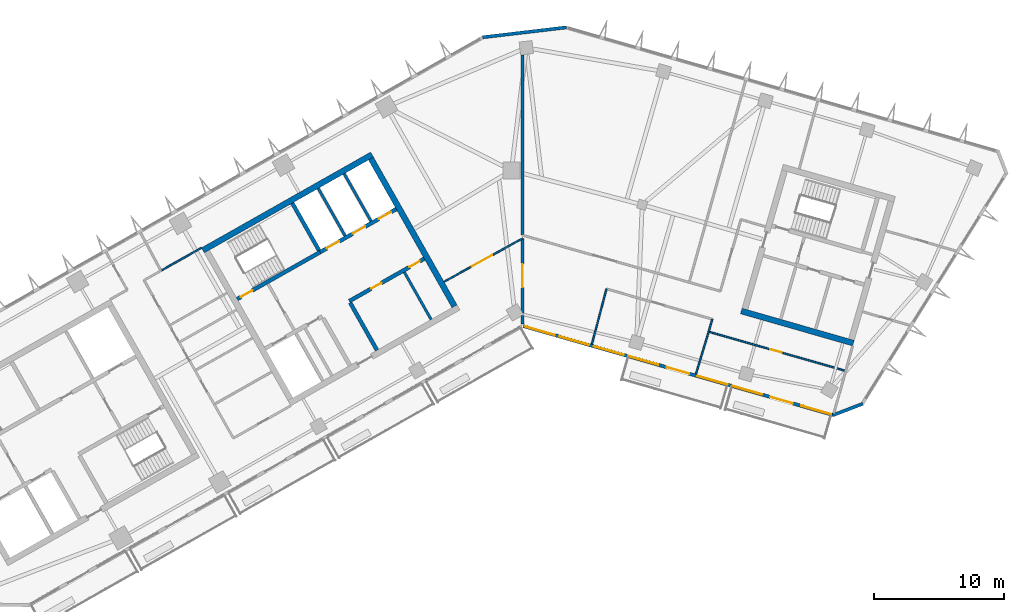
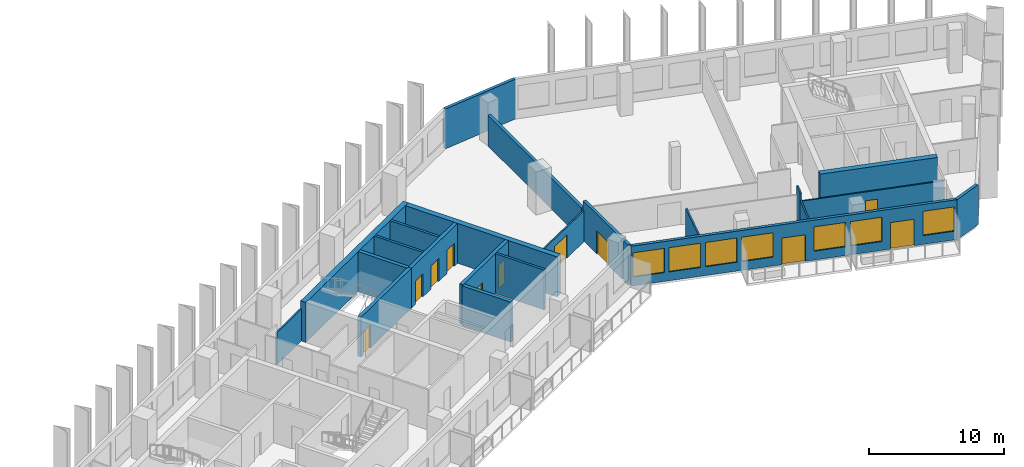
# One storey, part 6 of 11: 23 walls, 11 doors, 7 windows, 18 openings.
"""IFC4 building model written with IfcOpenShell, lengths in metres."""

from ifc_helpers import new_model, si_unit, direction, frame, frame_2d, origin, place, context, subcontext, project, spatial, rectangle, extrude, material, layer, layer_set, type_object, element, fill, save


model = new_model("IFC4")

# Units and contexts
model_context = context("Model", 3, precision=1e-05, world=origin(), true_north=direction((0.0, 1.0)))
body_context = subcontext(model_context, "Body", "Model", "MODEL_VIEW")
ifc_project = project(units=[si_unit("LENGTHUNIT", "METRE"), si_unit("AREAUNIT", "SQUARE_METRE"), si_unit("VOLUMEUNIT", "CUBIC_METRE"), si_unit("PLANEANGLEUNIT", "RADIAN"), si_unit("MASSUNIT", "GRAM", prefix="KILO")], contexts=[model_context])

# Site, building, storey
site_placement = place(None, origin())
site = spatial("IfcSite", under=ifc_project, at=site_placement, CompositionType="ELEMENT")
building_placement = place(site_placement, origin())
building = spatial("IfcBuilding", under=site, at=building_placement, Name="Binnacle Exchange Tower", CompositionType="ELEMENT")
storey_placement = place(building_placement, frame((0.0, 0.0, 223.10009765625)))
storey = spatial("IfcBuildingStorey", under=building, at=storey_placement, Name="L49", CompositionType="ELEMENT", Elevation=223.10009765625)

# Wall
ifc_material_1 = material(Name="Gypsum partition fire rated")
ifc_layer_1 = layer(ifc_material_1, 0.199951171875)
ifc_layer_set_1 = layer_set([ifc_layer_1], Name="Core partition 200")
wall_type_1 = type_object("IfcWallType", Name="Core partition 200", PredefinedType="PARTITIONING", material=ifc_layer_set_1)
wall_1_placement = place(storey_placement, frame((-9.11279296875, 52.14404296875, 0.0), z_axis=(0.0, 0.0, 1.0), x_axis=(0.492365617434, -0.870388475779, 0.0)))
element("IfcWall", 1, at=wall_1_placement, inside=storey, type_object=wall_type_1, Name="Core wall CRWC22", PredefinedType="PARTITIONING", context=body_context, shape_type="SweptSolid", body=[
    extrude(rectangle(XDim=4.199951171875, YDim=0.199951171875, at=frame_2d((2.10009765625, 0.0))), origin(), (0.0, 0.0, 1.0), 3.619873046875),
])

# Wall, openings, doors
ifc_material_2 = material(Name="Concrete C70/85", Category="concrete")
ifc_layer_2 = layer(ifc_material_2, 0.300048828125)
ifc_layer_set_2 = layer_set([ifc_layer_2], Name="Core wall - front 300")
wall_type_2 = type_object("IfcWallType", Name="Core wall - front 300", PredefinedType="SOLIDWALL", material=ifc_layer_set_2)
wall_2_placement = place(storey_placement, frame((-13.364501953125, 49.910888671875, 0.0), z_axis=(0.0, 0.0, 1.0), x_axis=(0.870352159619, 0.492429810477, 0.0)))
wall_2 = element("IfcWall", 2, at=wall_2_placement, inside=storey, type_object=wall_type_2, Name="Core wall CRWC3", PredefinedType="SOLIDWALL", context=body_context, shape_type="SweptSolid", body=[
    extrude(rectangle(XDim=6.64990234375, YDim=0.300048828125, at=frame_2d((3.324951171875, 0.0))), origin(), (0.0, 0.0, 1.0), 3.619873046875),
])
opening_1_placement = place(wall_2_placement, frame((1.949951171875, 0.0, 0.0)))
opening_1 = element("IfcOpeningElement", 3, at=opening_1_placement, cuts=wall_2, Name="Opening DC18", PredefinedType="OPENING", context=body_context, shape_type="SweptSolid", body=[
    extrude(rectangle(XDim=0.89990234375, YDim=2.10009765625, at=frame_2d((0.449951171875, 1.050048828125))), frame((0.0, 0.159912109375, 0.0), z_axis=(0.0, -1.0, 0.0), x_axis=(1.0, 0.0, 0.0)), (0.0, 0.0, 1.0), 0.320068359375),
])
opening_2_placement = place(wall_2_placement, frame((5.35009765625, 0.0, 0.0)))
opening_2 = element("IfcOpeningElement", 4, at=opening_2_placement, cuts=wall_2, Name="Opening DC19", PredefinedType="OPENING", context=body_context, shape_type="SweptSolid", body=[
    extrude(rectangle(XDim=0.89990234375, YDim=2.10009765625, at=frame_2d((0.449951171875, 1.050048828125))), frame((0.0, 0.159912109375, 0.0), z_axis=(0.0, -1.0, 0.0), x_axis=(1.0, 0.0, 0.0)), (0.0, 0.0, 1.0), 0.320068359375),
])
ifc_material_3 = material(Name="Steel door leaf", Category="steel")
door_type_1 = type_object("IfcDoorType", Name="Fire door 900", OperationType="NOTDEFINED", PredefinedType="DOOR", material=ifc_material_3)
door_1_placement = place(opening_1_placement, frame((0.89990234375, 0.0, 0.0), z_axis=(0.0, 0.0, 1.0), x_axis=(-1.0, 0.0, 0.0)))
door_1 = element("IfcDoor", 5, at=door_1_placement, inside=storey, type_object=door_type_1, Name="Core room door TELECOM RISER ROOM", OperationType="SINGLE_SWING_RIGHT", OverallHeight=2.10009765625, OverallWidth=0.89990234375, PredefinedType="DOOR", context=body_context, shape_type="SweptSolid", body=[
    extrude(rectangle(XDim=0.89990234375, YDim=2.10009765625, at=frame_2d((0.449951171875, 1.050048828125))), frame((0.0, 0.02490234375, 0.0), z_axis=(0.0, -1.0, 0.0), x_axis=(1.0, 0.0, 0.0)), (0.0, 0.0, 1.0), 0.050048828125),
])
fill(opening_1, door_1)
door_2_placement = place(opening_2_placement, frame((0.89990234375, 0.0, 0.0), z_axis=(0.0, 0.0, 1.0), x_axis=(-1.0, 0.0, 0.0)))
door_2 = element("IfcDoor", 6, at=door_2_placement, inside=storey, type_object=door_type_1, Name="Core room door IT STORE", OperationType="SINGLE_SWING_LEFT", OverallHeight=2.10009765625, OverallWidth=0.89990234375, PredefinedType="DOOR", context=body_context, shape_type="SweptSolid", body=[
    extrude(rectangle(XDim=0.89990234375, YDim=2.10009765625, at=frame_2d((0.449951171875, 1.050048828125))), frame((0.0, 0.02490234375, 0.0), z_axis=(0.0, -1.0, 0.0), x_axis=(1.0, 0.0, 0.0)), (0.0, 0.0, 1.0), 0.050048828125),
])
fill(opening_2, door_2)

wall_3_placement = place(storey_placement, frame((-15.6181640625, 53.69140625, 0.0), z_axis=(0.0, 0.0, 1.0), x_axis=(0.870358646884, 0.492418344291, 0.0)))
wall_3 = element("IfcWall", 7, at=wall_3_placement, inside=storey, type_object=wall_type_2, Name="Core wall CRWC5", PredefinedType="SOLIDWALL", context=body_context, shape_type="SweptSolid", body=[
    extrude(rectangle(XDim=6.749755859375, YDim=0.300048828125, at=frame_2d((3.375, 0.0))), origin(), (0.0, 0.0, 1.0), 3.619873046875),
])
opening_3_placement = place(wall_3_placement, frame((0.60009765625, 0.0, 0.0)))
opening_3 = element("IfcOpeningElement", 8, at=opening_3_placement, cuts=wall_3, Name="Opening LD5", PredefinedType="OPENING", context=body_context, shape_type="SweptSolid", body=[
    extrude(rectangle(XDim=1.10009765625, YDim=2.10009765625, at=frame_2d((0.550048828125, 1.050048828125))), frame((0.0, 0.159912109375, 0.0), z_axis=(0.0, -1.0, 0.0), x_axis=(1.0, 0.0, 0.0)), (0.0, 0.0, 1.0), 0.320068359375),
])
opening_4_placement = place(wall_3_placement, frame((2.89990234375, 0.0, 0.0)))
opening_4 = element("IfcOpeningElement", 9, at=opening_4_placement, cuts=wall_3, Name="Opening LD6", PredefinedType="OPENING", context=body_context, shape_type="SweptSolid", body=[
    extrude(rectangle(XDim=1.10009765625, YDim=2.10009765625, at=frame_2d((0.550048828125, 1.050048828125))), frame((0.0, 0.159912109375, 0.0), z_axis=(0.0, -1.0, 0.0), x_axis=(1.0, 0.0, 0.0)), (0.0, 0.0, 1.0), 0.320068359375),
])
opening_5_placement = place(wall_3_placement, frame((5.199951171875, 0.0, 0.0)))
opening_5 = element("IfcOpeningElement", 10, at=opening_5_placement, cuts=wall_3, Name="Opening LD7", PredefinedType="OPENING", context=body_context, shape_type="SweptSolid", body=[
    extrude(rectangle(XDim=1.10009765625, YDim=2.10009765625, at=frame_2d((0.550048828125, 1.050048828125))), frame((0.0, 0.159912109375, 0.0), z_axis=(0.0, -1.0, 0.0), x_axis=(1.0, 0.0, 0.0)), (0.0, 0.0, 1.0), 0.320068359375),
])
door_type_2 = type_object("IfcDoorType", Name="Fire door - lift landing 1100", OperationType="NOTDEFINED", PredefinedType="DOOR", material=ifc_material_3)
door_3_placement = place(opening_3_placement, origin())
door_3 = element("IfcDoor", 11, at=door_3_placement, inside=storey, type_object=door_type_2, Name="Landing door LD5 L49", OperationType="DOUBLE_DOOR_SLIDING", OverallHeight=2.10009765625, OverallWidth=1.10009765625, PredefinedType="DOOR", context=body_context, shape_type="SweptSolid", body=[
    extrude(rectangle(XDim=1.10009765625, YDim=2.10009765625, at=frame_2d((0.550048828125, 1.050048828125))), frame((0.0, 0.02490234375, 0.0), z_axis=(0.0, -1.0, 0.0), x_axis=(1.0, 0.0, 0.0)), (0.0, 0.0, 1.0), 0.050048828125),
])
fill(opening_3, door_3)
door_4_placement = place(opening_4_placement, origin())
door_4 = element("IfcDoor", 12, at=door_4_placement, inside=storey, type_object=door_type_2, Name="Landing door LD6 L49", OperationType="DOUBLE_DOOR_SLIDING", OverallHeight=2.10009765625, OverallWidth=1.10009765625, PredefinedType="DOOR", context=body_context, shape_type="SweptSolid", body=[
    extrude(rectangle(XDim=1.10009765625, YDim=2.10009765625, at=frame_2d((0.550048828125, 1.050048828125))), frame((0.0, 0.02490234375, 0.0), z_axis=(0.0, -1.0, 0.0), x_axis=(1.0, 0.0, 0.0)), (0.0, 0.0, 1.0), 0.050048828125),
])
fill(opening_4, door_4)
door_5_placement = place(opening_5_placement, origin())
door_5 = element("IfcDoor", 13, at=door_5_placement, inside=storey, type_object=door_type_2, Name="Landing door LD7 L49", OperationType="DOUBLE_DOOR_SLIDING", OverallHeight=2.10009765625, OverallWidth=1.10009765625, PredefinedType="DOOR", context=body_context, shape_type="SweptSolid", body=[
    extrude(rectangle(XDim=1.10009765625, YDim=2.10009765625, at=frame_2d((0.550048828125, 1.050048828125))), frame((0.0, 0.02490234375, 0.0), z_axis=(0.0, -1.0, 0.0), x_axis=(1.0, 0.0, 0.0)), (0.0, 0.0, 1.0), 0.050048828125),
])
fill(opening_5, door_5)

# Walls
wall_4_placement = place(storey_placement, frame((-13.29052734375, 49.780517578125, 0.0), z_axis=(0.0, 0.0, 1.0), x_axis=(0.492409653846, -0.870363563575, 0.0)))
element("IfcWall", 14, at=wall_4_placement, inside=storey, type_object=wall_type_2, Name="Core wall CRWC15", PredefinedType="SOLIDWALL", context=body_context, shape_type="SweptSolid", body=[
    extrude(rectangle(XDim=4.199951171875, YDim=0.300048828125, at=frame_2d((2.10009765625, 0.0))), origin(), (0.0, 0.0, 1.0), 3.619873046875),
])
ifc_layer_3 = layer(ifc_material_2, 0.449951171875)
ifc_layer_set_3 = layer_set([ifc_layer_3], Name="Core wall - outer 450")
wall_type_3 = type_object("IfcWallType", Name="Core wall - outer 450", PredefinedType="SOLIDWALL", material=ifc_layer_set_3)
wall_5_placement = place(storey_placement, frame((-24.659912109375, 53.832275390625, 0.0), z_axis=(0.0, 0.0, 1.0), x_axis=(0.870353598469, 0.492427267353, 0.0)))
element("IfcWall", 15, at=wall_5_placement, inside=storey, type_object=wall_type_3, Name="Core wall CRWC6", PredefinedType="SOLIDWALL", context=body_context, shape_type="SweptSolid", body=[
    extrude(rectangle(XDim=15.000244140625, YDim=0.449951171875, at=frame_2d((7.5, 0.0))), origin(), (0.0, 0.0, 1.0), 3.619873046875),
])
wall_6_placement = place(storey_placement, frame((-11.689453125, 60.912109375, 0.0), z_axis=(0.0, 0.0, 1.0), x_axis=(0.492421378713, -0.870356930107, 0.0)))
element("IfcWall", 16, at=wall_6_placement, inside=storey, type_object=wall_type_3, Name="Core wall CRWC24", PredefinedType="SOLIDWALL", context=body_context, shape_type="SweptSolid", body=[
    extrude(rectangle(XDim=13.099853515625, YDim=0.449951171875, at=frame_2d((6.5498046875, 0.0))), origin(), (0.0, 0.0, 1.0), 3.619873046875),
])
wall_7_placement = place(storey_placement, frame((16.889892578125, 49.149169921875, 0.0), z_axis=(0.0, 0.0, 1.0), x_axis=(0.96126248289, -0.275634611374, 0.0)))
element("IfcWall", 17, at=wall_7_placement, inside=storey, type_object=wall_type_3, Name="Core wall CRWD1", PredefinedType="SOLIDWALL", context=body_context, shape_type="SweptSolid", body=[
    extrude(rectangle(XDim=9.0, YDim=0.449951171875, at=frame_2d((4.5, 0.0))), origin(), (0.0, 0.0, 1.0), 3.619873046875),
])

# Wall, opening, door
ifc_layer_4 = layer(ifc_material_2, 0.300048828125)
ifc_layer_set_4 = layer_set([ifc_layer_4], Name="Core wall - stair 300")
wall_type_4 = type_object("IfcWallType", Name="Core wall - stair 300", PredefinedType="SOLIDWALL", material=ifc_layer_set_4)
wall_8_placement = place(storey_placement, frame((-22.015380859375, 50.072021484375, 0.0), z_axis=(0.0, 0.0, 1.0), x_axis=(0.870354900257, 0.492424966466, 0.0)))
wall_8 = element("IfcWall", 18, at=wall_8_placement, inside=storey, type_object=wall_type_4, Name="Core wall CRWC4", PredefinedType="SOLIDWALL", context=body_context, shape_type="SweptSolid", body=[
    extrude(rectangle(XDim=7.35009765625, YDim=0.300048828125, at=frame_2d((3.675048828125, 0.0))), origin(), (0.0, 0.0, 1.0), 3.619873046875),
])
opening_6_placement = place(wall_8_placement, frame((0.35009765625, 0.0, 0.0)))
opening_6 = element("IfcOpeningElement", 19, at=opening_6_placement, cuts=wall_8, Name="Opening DC1", PredefinedType="OPENING", context=body_context, shape_type="SweptSolid", body=[
    extrude(rectangle(XDim=1.0, YDim=2.10009765625, at=frame_2d((0.5, 1.050048828125))), frame((0.0, 0.159912109375, 0.0), z_axis=(0.0, -1.0, 0.0), x_axis=(1.0, 0.0, 0.0)), (0.0, 0.0, 1.0), 0.320068359375),
])
door_type_3 = type_object("IfcDoorType", Name="Fire door 1000", OperationType="NOTDEFINED", PredefinedType="DOOR", material=ifc_material_3)
door_6_placement = place(opening_6_placement, origin())
door_6 = element("IfcDoor", 20, at=door_6_placement, inside=storey, type_object=door_type_3, Name="Stair door ST-C1", OperationType="SINGLE_SWING_LEFT", OverallHeight=2.10009765625, OverallWidth=1.0, PredefinedType="DOOR", context=body_context, shape_type="SweptSolid", body=[
    extrude(rectangle(XDim=1.0, YDim=2.10009765625, at=frame_2d((0.5, 1.050048828125))), frame((0.0, 0.02490234375, 0.0), z_axis=(0.0, -1.0, 0.0), x_axis=(1.0, 0.0, 0.0)), (0.0, 0.0, 1.0), 0.050048828125),
])
fill(opening_6, door_6)

# Wall
wall_9_placement = place(storey_placement, frame((-17.76025390625, 57.477294921875, 0.0), z_axis=(0.0, 0.0, 1.0), x_axis=(0.49243456751, -0.870349468157, 0.0)))
element("IfcWall", 21, at=wall_9_placement, inside=storey, type_object=wall_type_4, Name="Core wall CRWC14", PredefinedType="SOLIDWALL", context=body_context, shape_type="SweptSolid", body=[
    extrude(rectangle(XDim=4.19970703125, YDim=0.300048828125, at=frame_2d((2.099853515625, 0.0))), origin(), (0.0, 0.0, 1.0), 3.619873046875),
])

# Wall, openings, doors, windows
ifc_material_4 = material(Name="Bronze aluminium cladding", Category="aluminium")
ifc_layer_5 = layer(ifc_material_4, 0.25)
ifc_layer_set_5 = layer_set([ifc_layer_5], Name="External wall - window wall 250")
wall_type_5 = type_object("IfcWallType", Name="External wall - window wall 250", PredefinedType="STANDARD", material=ifc_layer_set_5)
wall_10_placement = place(storey_placement, frame((24.034423828125, 41.108154296875, 0.0), z_axis=(0.0, 0.0, 1.0), x_axis=(-0.96126060691, 0.275641153683, 0.0)))
wall_10 = element("IfcWall", 22, at=wall_10_placement, inside=storey, type_object=wall_type_5, Name="External wall EW-G02 L49", PredefinedType="STANDARD", context=body_context, shape_type="SweptSolid", body=[
    extrude(rectangle(XDim=24.95068359375, YDim=0.25, at=frame_2d((12.475341796875, 0.0))), origin(), (0.0, 0.0, 1.0), 3.619873046875),
])
opening_7_placement = place(wall_10_placement, frame((22.416259765625, 0.0, 0.800048828125)))
opening_7 = element("IfcOpeningElement", 23, at=opening_7_placement, cuts=wall_10, Name="Opening WR1", PredefinedType="OPENING", context=body_context, shape_type="SweptSolid", body=[
    extrude(rectangle(XDim=2.39990234375, YDim=2.199951171875, at=frame_2d((1.199951171875, 1.10009765625))), frame((0.0, 0.135009765625, 0.0), z_axis=(0.0, -1.0, 0.0), x_axis=(1.0, 0.0, 0.0)), (0.0, 0.0, 1.0), 0.27001953125),
])
opening_8_placement = place(wall_10_placement, frame((19.642822265625, 0.0, 0.800048828125)))
opening_8 = element("IfcOpeningElement", 24, at=opening_8_placement, cuts=wall_10, Name="Opening WR1", PredefinedType="OPENING", context=body_context, shape_type="SweptSolid", body=[
    extrude(rectangle(XDim=2.39990234375, YDim=2.199951171875, at=frame_2d((1.199951171875, 1.10009765625))), frame((0.0, 0.135009765625, 0.0), z_axis=(0.0, -1.0, 0.0), x_axis=(1.0, 0.0, 0.0)), (0.0, 0.0, 1.0), 0.27001953125),
])
opening_9_placement = place(wall_10_placement, frame((16.869384765625, 0.0, 0.800048828125)))
opening_9 = element("IfcOpeningElement", 25, at=opening_9_placement, cuts=wall_10, Name="Opening WR1", PredefinedType="OPENING", context=body_context, shape_type="SweptSolid", body=[
    extrude(rectangle(XDim=2.39990234375, YDim=2.199951171875, at=frame_2d((1.199951171875, 1.10009765625))), frame((0.0, 0.135009765625, 0.0), z_axis=(0.0, -1.0, 0.0), x_axis=(1.0, 0.0, 0.0)), (0.0, 0.0, 1.0), 0.27001953125),
])
opening_10_placement = place(wall_10_placement, frame((14.095947265625, 0.0, 0.800048828125)))
opening_10 = element("IfcOpeningElement", 26, at=opening_10_placement, cuts=wall_10, Name="Opening WR1", PredefinedType="OPENING", context=body_context, shape_type="SweptSolid", body=[
    extrude(rectangle(XDim=2.39990234375, YDim=2.199951171875, at=frame_2d((1.199951171875, 1.10009765625))), frame((0.0, 0.135009765625, 0.0), z_axis=(0.0, -1.0, 0.0), x_axis=(1.0, 0.0, 0.0)), (0.0, 0.0, 1.0), 0.27001953125),
])
opening_11_placement = place(wall_10_placement, frame((11.622314453125, 0.0, 0.0)))
opening_11 = element("IfcOpeningElement", 27, at=opening_11_placement, cuts=wall_10, Name="Opening D-FS13-06", PredefinedType="OPENING", context=body_context, shape_type="SweptSolid", body=[
    extrude(rectangle(XDim=1.800048828125, YDim=2.39990234375, at=frame_2d((0.89990234375, 1.199951171875))), frame((0.0, 0.135009765625, 0.0), z_axis=(0.0, -1.0, 0.0), x_axis=(1.0, 0.0, 0.0)), (0.0, 0.0, 1.0), 0.27001953125),
])
opening_12_placement = place(wall_10_placement, frame((8.548828125, 0.0, 0.800048828125)))
opening_12 = element("IfcOpeningElement", 28, at=opening_12_placement, cuts=wall_10, Name="Opening WR1", PredefinedType="OPENING", context=body_context, shape_type="SweptSolid", body=[
    extrude(rectangle(XDim=2.39990234375, YDim=2.199951171875, at=frame_2d((1.199951171875, 1.10009765625))), frame((0.0, 0.135009765625, 0.0), z_axis=(0.0, -1.0, 0.0), x_axis=(1.0, 0.0, 0.0)), (0.0, 0.0, 1.0), 0.27001953125),
])
opening_13_placement = place(wall_10_placement, frame((5.775390625, 0.0, 0.800048828125)))
opening_13 = element("IfcOpeningElement", 29, at=opening_13_placement, cuts=wall_10, Name="Opening WR1", PredefinedType="OPENING", context=body_context, shape_type="SweptSolid", body=[
    extrude(rectangle(XDim=2.39990234375, YDim=2.199951171875, at=frame_2d((1.199951171875, 1.10009765625))), frame((0.0, 0.135009765625, 0.0), z_axis=(0.0, -1.0, 0.0), x_axis=(1.0, 0.0, 0.0)), (0.0, 0.0, 1.0), 0.27001953125),
])
opening_14_placement = place(wall_10_placement, frame((3.302001953125, 0.0, 0.0)))
opening_14 = element("IfcOpeningElement", 30, at=opening_14_placement, cuts=wall_10, Name="Opening D-FS13-07", PredefinedType="OPENING", context=body_context, shape_type="SweptSolid", body=[
    extrude(rectangle(XDim=1.800048828125, YDim=2.39990234375, at=frame_2d((0.89990234375, 1.199951171875))), frame((0.0, 0.135009765625, 0.0), z_axis=(0.0, -1.0, 0.0), x_axis=(1.0, 0.0, 0.0)), (0.0, 0.0, 1.0), 0.27001953125),
])
opening_15_placement = place(wall_10_placement, frame((0.228515625, 0.0, 0.800048828125)))
opening_15 = element("IfcOpeningElement", 31, at=opening_15_placement, cuts=wall_10, Name="Opening WR1", PredefinedType="OPENING", context=body_context, shape_type="SweptSolid", body=[
    extrude(rectangle(XDim=2.39990234375, YDim=2.199951171875, at=frame_2d((1.199951171875, 1.10009765625))), frame((0.0, 0.135009765625, 0.0), z_axis=(0.0, -1.0, 0.0), x_axis=(1.0, 0.0, 0.0)), (0.0, 0.0, 1.0), 0.27001953125),
])
ifc_material_5 = material(Name="Bronze anodised aluminium frame", Category="aluminium")
door_type_4 = type_object("IfcDoorType", Name="DB DOOR 1800x2400", OperationType="DOUBLE_DOOR_SINGLE_SWING", PredefinedType="DOOR", material=ifc_material_5)
door_7_placement = place(opening_11_placement, origin())
door_7 = element("IfcDoor", 32, at=door_7_placement, inside=storey, type_object=door_type_4, Name="Door D-FS13-06 L49", OperationType="DOUBLE_DOOR_SINGLE_SWING", OverallHeight=2.39990234375, OverallWidth=1.800048828125, PredefinedType="DOOR", context=body_context, shape_type="SweptSolid", body=[
    extrude(rectangle(XDim=1.800048828125, YDim=2.39990234375, at=frame_2d((0.89990234375, 1.199951171875))), frame((0.0, 0.02490234375, 0.0), z_axis=(0.0, -1.0, 0.0), x_axis=(1.0, 0.0, 0.0)), (0.0, 0.0, 1.0), 0.050048828125),
])
fill(opening_11, door_7)
door_8_placement = place(opening_14_placement, origin())
door_8 = element("IfcDoor", 33, at=door_8_placement, inside=storey, type_object=door_type_4, Name="Door D-FS13-07 L49", OperationType="DOUBLE_DOOR_SINGLE_SWING", OverallHeight=2.39990234375, OverallWidth=1.800048828125, PredefinedType="DOOR", context=body_context, shape_type="SweptSolid", body=[
    extrude(rectangle(XDim=1.800048828125, YDim=2.39990234375, at=frame_2d((0.89990234375, 1.199951171875))), frame((0.0, 0.02490234375, 0.0), z_axis=(0.0, -1.0, 0.0), x_axis=(1.0, 0.0, 0.0)), (0.0, 0.0, 1.0), 0.050048828125),
])
fill(opening_14, door_8)
window_type = type_object("IfcWindowType", Name="WR1 WINDOW 2400x2200", PartitioningType="SINGLE_PANEL", PredefinedType="WINDOW", material=ifc_material_5)
window_1_placement = place(opening_7_placement, origin())
window_1 = element("IfcWindow", 34, at=window_1_placement, inside=storey, type_object=window_type, Name="Window WR1 L49", OverallHeight=2.199951171875, OverallWidth=2.39990234375, PartitioningType="SINGLE_PANEL", PredefinedType="WINDOW", context=body_context, shape_type="SweptSolid", body=[
    extrude(rectangle(XDim=2.39990234375, YDim=2.199951171875, at=frame_2d((1.199951171875, 1.10009765625))), frame((0.0, 0.030029296875, 0.0), z_axis=(0.0, -1.0, 0.0), x_axis=(1.0, 0.0, 0.0)), (0.0, 0.0, 1.0), 0.06005859375),
])
fill(opening_7, window_1)
window_2_placement = place(opening_8_placement, origin())
window_2 = element("IfcWindow", 35, at=window_2_placement, inside=storey, type_object=window_type, Name="Window WR1 L49", OverallHeight=2.199951171875, OverallWidth=2.39990234375, PartitioningType="SINGLE_PANEL", PredefinedType="WINDOW", context=body_context, shape_type="SweptSolid", body=[
    extrude(rectangle(XDim=2.39990234375, YDim=2.199951171875, at=frame_2d((1.199951171875, 1.10009765625))), frame((0.0, 0.030029296875, 0.0), z_axis=(0.0, -1.0, 0.0), x_axis=(1.0, 0.0, 0.0)), (0.0, 0.0, 1.0), 0.06005859375),
])
fill(opening_8, window_2)
window_3_placement = place(opening_9_placement, origin())
window_3 = element("IfcWindow", 36, at=window_3_placement, inside=storey, type_object=window_type, Name="Window WR1 L49", OverallHeight=2.199951171875, OverallWidth=2.39990234375, PartitioningType="SINGLE_PANEL", PredefinedType="WINDOW", context=body_context, shape_type="SweptSolid", body=[
    extrude(rectangle(XDim=2.39990234375, YDim=2.199951171875, at=frame_2d((1.199951171875, 1.10009765625))), frame((0.0, 0.030029296875, 0.0), z_axis=(0.0, -1.0, 0.0), x_axis=(1.0, 0.0, 0.0)), (0.0, 0.0, 1.0), 0.06005859375),
])
fill(opening_9, window_3)
window_4_placement = place(opening_10_placement, origin())
window_4 = element("IfcWindow", 37, at=window_4_placement, inside=storey, type_object=window_type, Name="Window WR1 L49", OverallHeight=2.199951171875, OverallWidth=2.39990234375, PartitioningType="SINGLE_PANEL", PredefinedType="WINDOW", context=body_context, shape_type="SweptSolid", body=[
    extrude(rectangle(XDim=2.39990234375, YDim=2.199951171875, at=frame_2d((1.199951171875, 1.10009765625))), frame((0.0, 0.030029296875, 0.0), z_axis=(0.0, -1.0, 0.0), x_axis=(1.0, 0.0, 0.0)), (0.0, 0.0, 1.0), 0.06005859375),
])
fill(opening_10, window_4)
window_5_placement = place(opening_12_placement, origin())
window_5 = element("IfcWindow", 38, at=window_5_placement, inside=storey, type_object=window_type, Name="Window WR1 L49", OverallHeight=2.199951171875, OverallWidth=2.39990234375, PartitioningType="SINGLE_PANEL", PredefinedType="WINDOW", context=body_context, shape_type="SweptSolid", body=[
    extrude(rectangle(XDim=2.39990234375, YDim=2.199951171875, at=frame_2d((1.199951171875, 1.10009765625))), frame((0.0, 0.030029296875, 0.0), z_axis=(0.0, -1.0, 0.0), x_axis=(1.0, 0.0, 0.0)), (0.0, 0.0, 1.0), 0.06005859375),
])
fill(opening_12, window_5)
window_6_placement = place(opening_13_placement, origin())
window_6 = element("IfcWindow", 39, at=window_6_placement, inside=storey, type_object=window_type, Name="Window WR1 L49", OverallHeight=2.199951171875, OverallWidth=2.39990234375, PartitioningType="SINGLE_PANEL", PredefinedType="WINDOW", context=body_context, shape_type="SweptSolid", body=[
    extrude(rectangle(XDim=2.39990234375, YDim=2.199951171875, at=frame_2d((1.199951171875, 1.10009765625))), frame((0.0, 0.030029296875, 0.0), z_axis=(0.0, -1.0, 0.0), x_axis=(1.0, 0.0, 0.0)), (0.0, 0.0, 1.0), 0.06005859375),
])
fill(opening_13, window_6)
window_7_placement = place(opening_15_placement, origin())
window_7 = element("IfcWindow", 40, at=window_7_placement, inside=storey, type_object=window_type, Name="Window WR1 L49", OverallHeight=2.199951171875, OverallWidth=2.39990234375, PartitioningType="SINGLE_PANEL", PredefinedType="WINDOW", context=body_context, shape_type="SweptSolid", body=[
    extrude(rectangle(XDim=2.39990234375, YDim=2.199951171875, at=frame_2d((1.199951171875, 1.10009765625))), frame((0.0, 0.030029296875, 0.0), z_axis=(0.0, -1.0, 0.0), x_axis=(1.0, 0.0, 0.0)), (0.0, 0.0, 1.0), 0.06005859375),
])
fill(opening_15, window_7)

# Walls
wall_11_placement = place(storey_placement, frame((26.27001953125, 41.993408203125, 0.0), z_axis=(0.0, 0.0, 1.0), x_axis=(-0.933573798066, -0.358385216722, 0.0)))
element("IfcWall", 41, at=wall_11_placement, inside=storey, type_object=wall_type_5, Name="External wall EW-G03 L49", PredefinedType="STANDARD", context=body_context, shape_type="SweptSolid", body=[
    extrude(rectangle(XDim=2.479736328125, YDim=0.25, at=frame_2d((1.23974609375, 0.0))), origin(), (0.0, 0.0, 1.0), 3.619873046875),
])
wall_12_placement = place(storey_placement, frame((-3.0712890625, 70.2734375, 0.0), z_axis=(0.0, 0.0, 1.0), x_axis=(0.993064524962, 0.11757061394, 0.0)))
element("IfcWall", 42, at=wall_12_placement, inside=storey, type_object=wall_type_5, Name="External wall EW-G07 L49", PredefinedType="STANDARD", context=body_context, shape_type="SweptSolid", body=[
    extrude(rectangle(XDim=6.505859375, YDim=0.25, at=frame_2d((3.2529296875, 0.0))), origin(), (0.0, 0.0, 1.0), 3.619873046875),
])
ifc_material_6 = material(Name="Concrete fire wall C30/37", Category="concrete")
ifc_layer_6 = layer(ifc_material_6, 0.25)
ifc_layer_set_6 = layer_set([ifc_layer_6], Name="Fire wall - compartment 250")
wall_type_6 = type_object("IfcWallType", Name="Fire wall - compartment 250", PredefinedType="PARTITIONING", material=ifc_layer_set_6)
wall_13_placement = place(storey_placement, frame((0.0, 48.1298828125, 0.0), z_axis=(0.0, 0.0, 1.0), x_axis=(0.0, 1.0, 0.0)))
element("IfcWall", 43, at=wall_13_placement, inside=storey, type_object=wall_type_6, Name="Fire Wall W21", PredefinedType="PARTITIONING", context=body_context, shape_type="SweptSolid", body=[
    extrude(rectangle(XDim=0.674072265625, YDim=0.25, at=frame_2d((0.3369140625, 0.0))), origin(), (0.0, 0.0, 1.0), 3.619873046875),
])

# Wall, opening, door
wall_14_placement = place(storey_placement, frame((0.0, 49.014892578125, 0.0), z_axis=(0.0, 0.0, 1.0), x_axis=(0.0, 1.0, 0.0)))
wall_14 = element("IfcWall", 44, at=wall_14_placement, inside=storey, type_object=wall_type_6, Name="Fire Wall W22", PredefinedType="PARTITIONING", context=body_context, shape_type="SweptSolid", body=[
    extrude(rectangle(XDim=5.735107421875, YDim=0.25, at=frame_2d((2.86767578125, 0.0))), origin(), (0.0, 0.0, 1.0), 3.619873046875),
])
opening_16_placement = place(wall_14_placement, frame((1.949951171875, 0.0, 0.0)))
opening_16 = element("IfcOpeningElement", 45, at=opening_16_placement, cuts=wall_14, Name="Opening DL48-16", PredefinedType="OPENING", context=body_context, shape_type="SweptSolid", body=[
    extrude(rectangle(XDim=1.800048828125, YDim=2.10009765625, at=frame_2d((0.89990234375, 1.050048828125))), frame((0.0, 0.135009765625, 0.0), z_axis=(0.0, -1.0, 0.0), x_axis=(1.0, 0.0, 0.0)), (0.0, 0.0, 1.0), 0.27001953125),
])
door_type_5 = type_object("IfcDoorType", Name="Fire door 1800", OperationType="NOTDEFINED", PredefinedType="DOOR", material=ifc_material_3)
door_9_placement = place(opening_16_placement, origin())
door_9 = element("IfcDoor", 46, at=door_9_placement, inside=storey, type_object=door_type_5, Name="Door DL48-16", OperationType="DOUBLE_DOOR_SINGLE_SWING", OverallHeight=2.10009765625, OverallWidth=1.800048828125, PredefinedType="DOOR", context=body_context, shape_type="SweptSolid", body=[
    extrude(rectangle(XDim=1.800048828125, YDim=2.10009765625, at=frame_2d((0.89990234375, 1.050048828125))), frame((0.0, 0.02490234375, 0.0), z_axis=(0.0, -1.0, 0.0), x_axis=(1.0, 0.0, 0.0)), (0.0, 0.0, 1.0), 0.050048828125),
])
fill(opening_16, door_9)

# Walls
wall_15_placement = place(storey_placement, frame((0.0, 55.0, 0.0), z_axis=(0.0, 0.0, 1.0), x_axis=(0.0, 1.0, 0.0)))
element("IfcWall", 47, at=wall_15_placement, inside=storey, type_object=wall_type_6, Name="Fire Wall W23", PredefinedType="PARTITIONING", context=body_context, shape_type="SweptSolid", body=[
    extrude(rectangle(XDim=13.925048828125, YDim=0.25, at=frame_2d((6.96240234375, 0.0))), origin(), (0.0, 0.0, 1.0), 2.7998046875),
])
ifc_material_7 = material(Name="Gypsum partition")
ifc_layer_7 = layer(ifc_material_7, 0.125)
ifc_layer_set_7 = layer_set([ifc_layer_7], Name="Partition 125")
wall_type_7 = type_object("IfcWallType", Name="Partition 125", PredefinedType="PARTITIONING", material=ifc_layer_set_7)
wall_16_placement = place(storey_placement, frame((-27.89599609375, 52.260009765625, 0.0), z_axis=(0.0, 0.0, 1.0), x_axis=(0.870352535776, 0.492429145632, 0.0)))
element("IfcWall", 48, at=wall_16_placement, inside=storey, type_object=wall_type_7, Name="Partition W10", PredefinedType="PARTITIONING", context=body_context, shape_type="SweptSolid", body=[
    extrude(rectangle(XDim=3.590576171875, YDim=0.125, at=frame_2d((1.79541015625, 0.0))), origin(), (0.0, 0.0, 1.0), 2.891845703125),
])

# Wall, opening, door
wall_17_placement = place(storey_placement, frame((-6.052978515625, 51.405029296875, 0.0), z_axis=(0.0, 0.0, 1.0), x_axis=(0.875247434681, 0.483675436718, 0.0)))
wall_17 = element("IfcWall", 49, at=wall_17_placement, inside=storey, type_object=wall_type_7, Name="Partition W20", PredefinedType="PARTITIONING", context=body_context, shape_type="SweptSolid", body=[
    extrude(rectangle(XDim=6.915771484375, YDim=0.125, at=frame_2d((3.4580078125, 0.0))), origin(), (0.0, 0.0, 1.0), 2.7998046875),
])
opening_17_placement = place(wall_17_placement, frame((2.449951171875, 0.0, 0.0)))
opening_17 = element("IfcOpeningElement", 50, at=opening_17_placement, cuts=wall_17, Name="Opening DL48-09", PredefinedType="OPENING", context=body_context, shape_type="SweptSolid", body=[
    extrude(rectangle(XDim=1.800048828125, YDim=2.10009765625, at=frame_2d((0.89990234375, 1.050048828125))), frame((0.0, 0.072509765625, 0.0), z_axis=(0.0, -1.0, 0.0), x_axis=(1.0, 0.0, 0.0)), (0.0, 0.0, 1.0), 0.14501953125),
])
ifc_material_8 = material(Name="Timber door leaf", Category="wood")
door_type_6 = type_object("IfcDoorType", Name="Double door 1800", OperationType="NOTDEFINED", PredefinedType="DOOR", material=ifc_material_8)
door_10_placement = place(opening_17_placement, origin())
door_10 = element("IfcDoor", 51, at=door_10_placement, inside=storey, type_object=door_type_6, Name="Door DL48-09", OperationType="DOUBLE_DOOR_SINGLE_SWING", OverallHeight=2.10009765625, OverallWidth=1.800048828125, PredefinedType="DOOR", context=body_context, shape_type="SweptSolid", body=[
    extrude(rectangle(XDim=1.800048828125, YDim=2.10009765625, at=frame_2d((0.89990234375, 1.050048828125))), frame((0.0, 0.02490234375, 0.0), z_axis=(0.0, -1.0, 0.0), x_axis=(1.0, 0.0, 0.0)), (0.0, 0.0, 1.0), 0.050048828125),
])
fill(opening_17, door_10)

# Walls
wall_18_placement = place(storey_placement, frame((5.364013671875, 46.592041015625, 0.0), z_axis=(0.0, 0.0, 1.0), x_axis=(0.253446952203, 0.967349286669, 0.0)))
element("IfcWall", 52, at=wall_18_placement, inside=storey, type_object=wall_type_7, Name="Partition W25", PredefinedType="PARTITIONING", context=body_context, shape_type="SweptSolid", body=[
    extrude(rectangle(XDim=4.410888671875, YDim=0.125, at=frame_2d((2.20556640625, 0.0))), origin(), (0.0, 0.0, 1.0), 2.98779296875),
])
wall_19_placement = place(storey_placement, frame((13.389892578125, 44.2900390625, 0.0), z_axis=(0.0, 0.0, 1.0), x_axis=(0.289389501276, 0.957211427299, 0.0)))
element("IfcWall", 53, at=wall_19_placement, inside=storey, type_object=wall_type_7, Name="Partition W29", PredefinedType="PARTITIONING", context=body_context, shape_type="SweptSolid", body=[
    extrude(rectangle(XDim=3.410888671875, YDim=0.125, at=frame_2d((1.70556640625, 0.0))), origin(), (0.0, 0.0, 1.0), 2.993896484375),
])
wall_20_placement = place(storey_placement, frame((14.376953125, 47.554931640625, 0.0), z_axis=(0.0, 0.0, 1.0), x_axis=(0.275204870584, 0.961385603807, 0.0)))
element("IfcWall", 54, at=wall_20_placement, inside=storey, type_object=wall_type_7, Name="Partition W30", PredefinedType="PARTITIONING", context=body_context, shape_type="SweptSolid", body=[
    extrude(rectangle(XDim=0.999755859375, YDim=0.125, at=frame_2d((0.5, 0.0))), origin(), (0.0, 0.0, 1.0), 3.619873046875),
])

# Wall, opening, door
wall_21_placement = place(storey_placement, frame((14.376953125, 47.554931640625, 0.0), z_axis=(0.0, 0.0, 1.0), x_axis=(0.961263044958, -0.275632651182, 0.0)))
wall_21 = element("IfcWall", 55, at=wall_21_placement, inside=storey, type_object=wall_type_7, Name="Partition W31", PredefinedType="PARTITIONING", context=body_context, shape_type="SweptSolid", body=[
    extrude(rectangle(XDim=11.0, YDim=0.125, at=frame_2d((5.5, 0.0))), origin(), (0.0, 0.0, 1.0), 2.89990234375),
])
opening_18_placement = place(wall_21_placement, frame((4.949951171875, 0.0, 0.0)))
opening_18 = element("IfcOpeningElement", 56, at=opening_18_placement, cuts=wall_21, Name="Opening DL48-13", PredefinedType="OPENING", context=body_context, shape_type="SweptSolid", body=[
    extrude(rectangle(XDim=0.89990234375, YDim=2.10009765625, at=frame_2d((0.449951171875, 1.050048828125))), frame((0.0, 0.072509765625, 0.0), z_axis=(0.0, -1.0, 0.0), x_axis=(1.0, 0.0, 0.0)), (0.0, 0.0, 1.0), 0.14501953125),
])
door_type_7 = type_object("IfcDoorType", Name="Door 900", OperationType="NOTDEFINED", PredefinedType="DOOR", material=ifc_material_8)
door_11_placement = place(opening_18_placement, frame((0.89990234375, 0.0, 0.0), z_axis=(0.0, 0.0, 1.0), x_axis=(-1.0, 0.0, 0.0)))
door_11 = element("IfcDoor", 57, at=door_11_placement, inside=storey, type_object=door_type_7, Name="Door DL48-13", OperationType="SINGLE_SWING_RIGHT", OverallHeight=2.10009765625, OverallWidth=0.89990234375, PredefinedType="DOOR", context=body_context, shape_type="SweptSolid", body=[
    extrude(rectangle(XDim=0.89990234375, YDim=2.10009765625, at=frame_2d((0.449951171875, 1.050048828125))), frame((0.0, 0.02490234375, 0.0), z_axis=(0.0, -1.0, 0.0), x_axis=(1.0, 0.0, 0.0)), (0.0, 0.0, 1.0), 0.050048828125),
])
fill(opening_18, door_11)

# Walls
ifc_material_9 = material(Name="Masonry block wall", Category="masonry")
ifc_layer_8 = layer(ifc_material_9, 0.199951171875)
ifc_layer_set_8 = layer_set([ifc_layer_8], Name="Shaft wall 200")
wall_type_8 = type_object("IfcWallType", Name="Shaft wall 200", PredefinedType="SOLIDWALL", material=ifc_layer_set_8)
for number, where, z_axis, x_axis, name in (
    (58, (-15.75830078125, 58.60986328125, 0.0), (0.0, 0.0, 1.0), (0.492409653846, -0.870363563575, 0.0), "Core wall CRWC18"),
    (59, (-13.756591796875, 59.742431640625, 0.0), (0.0, 0.0, 1.0), (0.492409653846, -0.870363563575, 0.0), "Core wall CRWC21"),
):
    element("IfcWall", number, at=place(storey_placement, frame(where, z_axis=z_axis, x_axis=x_axis)), inside=storey, type_object=wall_type_8, Name=name, PredefinedType="SOLIDWALL", context=body_context, shape_type="SweptSolid", body=[
        extrude(rectangle(XDim=4.199951171875, YDim=0.199951171875, at=frame_2d((2.10009765625, 0.0))), origin(), (0.0, 0.0, 1.0), 3.619873046875),
    ])

save(model, "model.ifc")
